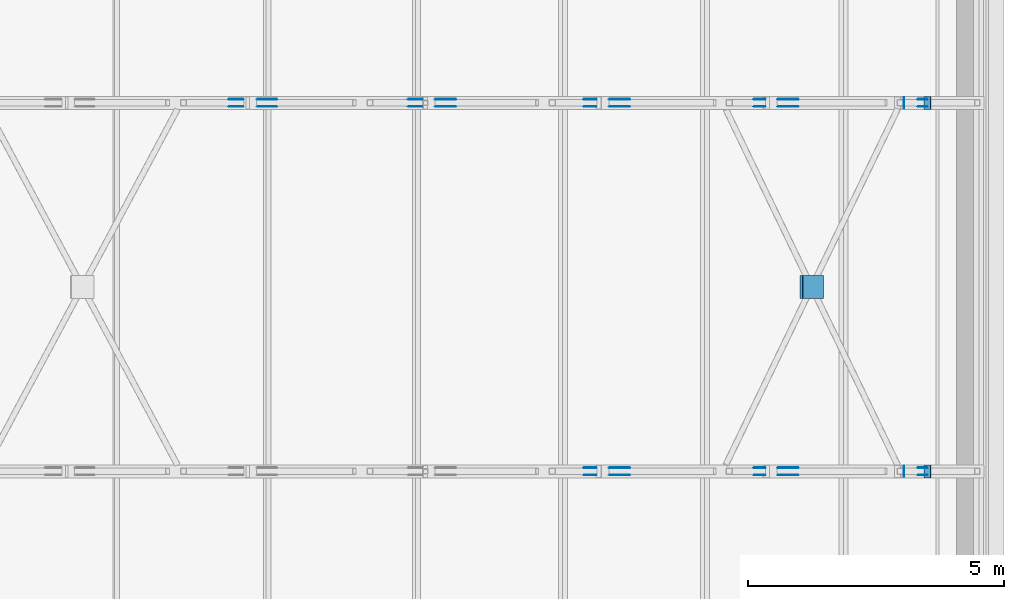
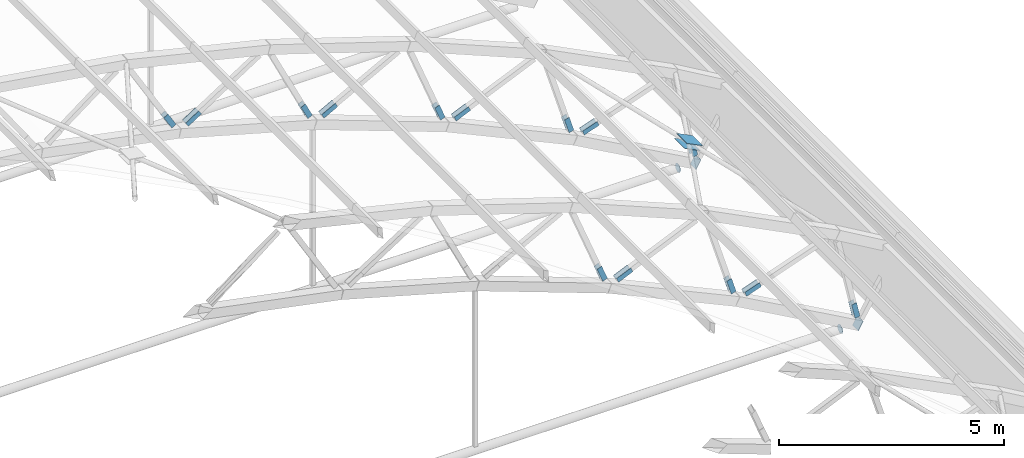
# One storey, part 114 of 127: 34 discrete accessories.
"""IFC4 building model written with IfcOpenShell, lengths in metres."""

import ifcopenshell
import ifcopenshell.guid

model = None  # the IFC model being written
_history = None  # IfcOwnerHistory: only IFC2X3 demands one
_inside = {}  # id of a spatial element -> (the spatial element, [elements in it])
_under = {}  # id of a project, library or spatial element -> (it, [spatial elements below it])
_declared = {}  # id of a project -> (the project, [libraries it declares])
_typed = {}  # id of a type object -> (the type object, [elements of that type])
_made_of = {}  # id of a material, layer set ... -> (it, [elements and type objects made of it])


def new_model(schema):
    """Start an empty IFC model of exactly this schema.

    Asked for "IFC4X3", IfcOpenShell would pick the latest addendum, in which some entities
    have other attributes; the version numbers below select the first issue.
    IFC2X3 requires an IfcOwnerHistory on every rooted entity: one is made here for all.
    """
    global model, _history
    if schema == "IFC4X3":
        model = ifcopenshell.file(schema_version=(4, 3, 0, 0))
    else:
        model = ifcopenshell.file(schema=schema)
    _inside.clear()
    _under.clear()
    _declared.clear()
    _typed.clear()
    _made_of.clear()
    _history = None
    if model.schema == "IFC2X3":
        org = make("IfcOrganization", Name="unknown")
        user = make(
            "IfcPersonAndOrganization",
            ThePerson=make("IfcPerson", FamilyName="unknown"),
            TheOrganization=org,
        )
        app = make(
            "IfcApplication",
            ApplicationDeveloper=org,
            Version="unknown",
            ApplicationFullName="unknown",
            ApplicationIdentifier="unknown",
        )
        _history = make(
            "IfcOwnerHistory",
            OwningUser=user,
            OwningApplication=app,
            ChangeAction="ADDED",
            CreationDate=0,
        )
    return model


def make(cls, **values):
    """One entity of the class cls with the attributes given. An attribute that is None is left unset."""
    return model.create_entity(
        cls, **{name: value for name, value in values.items() if value is not None}
    )


def rooted(cls, **values):
    """An entity with a GlobalId (a new one), such as an element, a storey or a relation."""
    return make(cls, GlobalId=ifcopenshell.guid.new(), OwnerHistory=_history, **values)


def si_unit(unit_type, name, prefix=None):
    """IfcSIUnit, for example si_unit("LENGTHUNIT", "METRE", prefix="MILLI")."""
    return make("IfcSIUnit", UnitType=unit_type, Prefix=prefix, Name=name)


def assignment(units):
    """IfcUnitAssignment: the units of a project."""
    return None if units is None else make("IfcUnitAssignment", Units=units)


def point(xyz):
    """IfcCartesianPoint."""
    return None if xyz is None else make("IfcCartesianPoint", Coordinates=xyz)


def direction(xyz):
    """IfcDirection."""
    return None if xyz is None else make("IfcDirection", DirectionRatios=xyz)


def frame(location, z_axis=None, x_axis=None):
    """IfcAxis2Placement3D, a coordinate frame: its origin and axes. An axis left out is left unset."""
    return make(
        "IfcAxis2Placement3D",
        Location=point(location),
        Axis=direction(z_axis),
        RefDirection=direction(x_axis),
    )


def frame_2d(location, x_axis=None):
    """IfcAxis2Placement2D, a coordinate frame in the plane: its origin and x axis."""
    return make(
        "IfcAxis2Placement2D", Location=point(location), RefDirection=direction(x_axis)
    )


def origin():
    """The frame at (0, 0, 0) with its axes left unset."""
    return frame((0.0, 0.0, 0.0))


def origin_2d():
    """The frame at (0, 0) in the plane with its x axis left unset."""
    return frame_2d((0.0, 0.0))


def place(relative_to, where):
    """IfcLocalPlacement: puts the frame where relative to a parent placement (None: the world)."""
    return make(
        "IfcLocalPlacement", PlacementRelTo=relative_to, RelativePlacement=where
    )


def context(
    kind, dimensions, precision=None, world=None, true_north=None, identifier=None
):
    """IfcGeometricRepresentationContext, for example the 3D "Model" context."""
    return make(
        "IfcGeometricRepresentationContext",
        ContextIdentifier=identifier,
        ContextType=kind,
        CoordinateSpaceDimension=dimensions,
        Precision=precision,
        WorldCoordinateSystem=world,
        TrueNorth=true_north,
    )


def subcontext(parent, identifier, kind, view, scale=None):
    """IfcGeometricRepresentationSubContext, for example "Body" below "Model"."""
    return make(
        "IfcGeometricRepresentationSubContext",
        ContextIdentifier=identifier,
        ContextType=kind,
        ParentContext=parent,
        TargetScale=scale,
        TargetView=view,
    )


def project(units=None, contexts=None):
    """IfcProject with its units and contexts."""
    return rooted(
        "IfcProject",
        Name="project",
        RepresentationContexts=contexts,
        UnitsInContext=assignment(units),
    )


def spatial(cls, under=None, at=None, **own):
    """A site, building, storey or space (cls), placed at a placement, below another one or the project."""
    s = rooted(cls, ObjectPlacement=at, **own)
    if under is not None:
        _under.setdefault(under.id(), (under, []))[1].append(s)
    return s


def profile(cls, at=None, kind="AREA", **sizes):
    """A parametric profile (cls). Its sizes go by their IFC names, for example OverallWidth=200.0."""
    return make(cls, ProfileType=kind, Position=at, **sizes)


def rectangle(**sizes):
    """IfcRectangleProfileDef."""
    return profile("IfcRectangleProfileDef", **sizes)


def circle(**sizes):
    """IfcCircleProfileDef."""
    return profile("IfcCircleProfileDef", **sizes)


def extrude(swept, where, along, depth):
    """IfcExtrudedAreaSolid: the profile swept, set in the frame where, extruded along a direction by depth."""
    return make(
        "IfcExtrudedAreaSolid",
        SweptArea=swept,
        Position=where,
        ExtrudedDirection=direction(along),
        Depth=depth,
    )


def shape(context_of_items, identifier, shape_type, items):
    """IfcShapeRepresentation: the items that make up one representation, for example the "Body"."""
    return make(
        "IfcShapeRepresentation",
        ContextOfItems=context_of_items,
        RepresentationIdentifier=identifier,
        RepresentationType=shape_type,
        Items=items,
    )


def material(Name=None, Category=None):
    """IfcMaterial."""
    return make("IfcMaterial", Name=Name, Category=Category)


def material_profile(
    of_material, cross_section, Name=None, Category=None, Priority=None
):
    """IfcMaterialProfile: a cross section and its material."""
    return make(
        "IfcMaterialProfile",
        Name=Name,
        Material=of_material,
        Profile=cross_section,
        Priority=Priority,
        Category=Category,
    )


def profile_set(profiles, Name=None, composite=None):
    """IfcMaterialProfileSet."""
    return make(
        "IfcMaterialProfileSet",
        Name=Name,
        MaterialProfiles=profiles,
        CompositeProfile=composite,
    )


def made_of(thing, what):
    """Note that an element or type object is made of a material, layer set ...; save() writes the relation."""
    if what is not None:
        _made_of.setdefault(what.id(), (what, []))[1].append(thing)
    return thing


def type_object(cls, material=None, **own):
    """A type object (cls), such as IfcWallType, which elements share."""
    return made_of(rooted(cls, **own), material)


def element(
    cls,
    number,
    at=None,
    inside=None,
    cuts=None,
    type_object=None,
    material=None,
    context=None,
    identifier="Body",
    shape_type=None,
    held_by="IfcProductDefinitionShape",
    body=None,
    shapes=None,
    **own,
):
    """One element of the class cls, such as IfcWall. Its Tag is "e" and its number.

    at: its placement. inside: the storey or other place that contains it. cuts: it is an
    opening in that element (IfcRelVoidsElement). A single representation is given by context,
    identifier, shape_type and body (its items); several are given by shapes. held_by: the class
    of the entity that holds the representations. save() writes the other relations.
    """
    e = rooted(cls, Tag="e%d" % number, ObjectPlacement=at, **own)
    if body is not None:
        shapes = [shape(context, identifier, shape_type, body)]
    if shapes is not None:
        e.Representation = make(held_by, Representations=shapes)
    if inside is not None:
        _inside.setdefault(inside.id(), (inside, []))[1].append(e)
    if cuts is not None:
        rooted(
            "IfcRelVoidsElement", RelatingBuildingElement=cuts, RelatedOpeningElement=e
        )
    if type_object is not None:
        _typed.setdefault(type_object.id(), (type_object, []))[1].append(e)
    return made_of(e, material)


def aggregate(whole, parts):
    """IfcRelAggregates: a whole, such as a stair, and the parts it consists of."""
    return rooted("IfcRelAggregates", RelatingObject=whole, RelatedObjects=parts)


def save(model, path):
    """Write the relations noted so far, then the file.

    IfcRelAggregates (storeys below a building ...), IfcRelContainedInSpatialStructure (elements
    in a storey), IfcRelDefinesByType, IfcRelAssociatesMaterial and IfcRelDeclares: one each for
    every whole, place, type object, material and project.
    """
    for whole, parts in _under.values():
        aggregate(whole, parts)
    for where, things in _inside.values():
        rooted(
            "IfcRelContainedInSpatialStructure",
            RelatedElements=things,
            RelatingStructure=where,
        )
    for kind, things in _typed.values():
        rooted("IfcRelDefinesByType", RelatedObjects=things, RelatingType=kind)
    for what, things in _made_of.values():
        rooted("IfcRelAssociatesMaterial", RelatedObjects=things, RelatingMaterial=what)
    for by, libraries in _declared.values():
        rooted("IfcRelDeclares", RelatingContext=by, RelatedDefinitions=libraries)
    model.write(path)


model = new_model("IFC4")

# Units and contexts
model_context = context("Model", 3, precision=1e-05, world=origin(), true_north=direction((0.0, 1.0)))
body_context = subcontext(model_context, "Body", "Model", "MODEL_VIEW")
ifc_project = project(units=[si_unit("LENGTHUNIT", "METRE"), si_unit("AREAUNIT", "SQUARE_METRE"), si_unit("VOLUMEUNIT", "CUBIC_METRE"), si_unit("PLANEANGLEUNIT", "RADIAN"), si_unit("MASSUNIT", "GRAM", prefix="KILO")], contexts=[model_context])

# Site, building, storey
site_placement = place(None, origin())
site = spatial("IfcSite", under=ifc_project, at=site_placement, CompositionType="ELEMENT")
building_placement = place(site_placement, origin())
building = spatial("IfcBuilding", under=site, at=building_placement, Name="Verrick Yard Athletic Hall", CompositionType="ELEMENT")
storey_placement = place(building_placement, frame((0.0, 0.0, 14.0)))
storey = spatial("IfcBuildingStorey", under=building, at=storey_placement, Name="L03", CompositionType="ELEMENT", Elevation=14.0)

# Discrete accessories
ifc_material = material(Name="Structural steel 350W (CSA G40.21)", Category="steel")
ifc_material_profile_1 = material_profile(ifc_material, rectangle(XDim=0.39990234375, YDim=0.126953125, at=origin_2d()), Name="Brace end cheek plate")
ifc_profile_set_1 = profile_set([ifc_material_profile_1], Name="Structural steel 350W (CSA G40.21)")
discrete_accessory_type_1 = type_object("IfcDiscreteAccessoryType", Name="Brace end cheek plate 400x127x12", PredefinedType="BRACKET", material=ifc_profile_set_1)
discrete_accessory_1_placement = place(storey_placement, frame((163.01318359375, 86.33642578125, 3.684814453125), z_axis=(0.0, -1.0, 0.0), x_axis=(-0.363562561074, 0.0, 0.931569784925)))
element("IfcDiscreteAccessory", 1, at=discrete_accessory_1_placement, inside=storey, type_object=discrete_accessory_type_1, Name="Truss web end plate TA3-24 1", PredefinedType="BRACKET", context=body_context, shape_type="SweptSolid", body=[
    extrude(rectangle(XDim=0.39990234375, YDim=0.126953125, at=origin_2d()), origin(), (0.0, 0.0, 1.0), 0.011962890625),
])
for number, where, z_axis, x_axis, name in (
    (2, (163.01318359375, 86.46337890625, 3.684814453125), (0.0, 1.0, 0.0), (-0.363562561074, 0.0, 0.931569784925), "Truss web end plate TA3-24 2"),
    (3, (163.587158203125, 86.46337890625, 3.447509765625), (0.0, 1.0, 0.0), (0.915285173692, 0.0, 0.402806468194), "Truss web end plate TA3-25 1"),
):
    element("IfcDiscreteAccessory", number, at=place(storey_placement, frame(where, z_axis=z_axis, x_axis=x_axis)), inside=storey, type_object=discrete_accessory_type_1, Name=name, PredefinedType="BRACKET", context=body_context, shape_type="SweptSolid", body=[
        extrude(rectangle(XDim=0.39990234375, YDim=0.126953125, at=origin_2d()), origin(), (0.0, 0.0, 1.0), 0.01220703125),
    ])
for number, where, z_axis, x_axis, name in (
    (4, (163.587158203125, 86.33642578125, 3.447509765625), (0.0, -1.0, 0.0), (0.915285173692, 0.0, 0.402806468194), "Truss web end plate TA3-25 2"),
    (5, (166.322265625, 86.33642578125, 2.18896484375), (0.0, -1.0, 0.0), (-0.289473335175, 0.0, 0.95718607816), "Truss web end plate TA3-26 1"),
):
    element("IfcDiscreteAccessory", number, at=place(storey_placement, frame(where, z_axis=z_axis, x_axis=x_axis)), inside=storey, type_object=discrete_accessory_type_1, Name=name, PredefinedType="BRACKET", context=body_context, shape_type="SweptSolid", body=[
        extrude(rectangle(XDim=0.39990234375, YDim=0.126953125, at=origin_2d()), origin(), (0.0, 0.0, 1.0), 0.011962890625),
    ])
for number, where, z_axis, x_axis, name in (
    (6, (166.322265625, 86.46337890625, 2.18896484375), (0.0, 1.0, 0.0), (-0.289473335175, 0.0, 0.95718607816), "Truss web end plate TA3-26 2"),
    (7, (166.8759765625, 86.46337890625, 1.907470703125), (0.0, 1.0, 0.0), (0.944025603302, 0.0, 0.32987218784), "Truss web end plate TA3-27 1"),
):
    element("IfcDiscreteAccessory", number, at=place(storey_placement, frame(where, z_axis=z_axis, x_axis=x_axis)), inside=storey, type_object=discrete_accessory_type_1, Name=name, PredefinedType="BRACKET", context=body_context, shape_type="SweptSolid", body=[
        extrude(rectangle(XDim=0.39990234375, YDim=0.126953125, at=origin_2d()), origin(), (0.0, 0.0, 1.0), 0.01220703125),
    ])
for number, where, z_axis, x_axis, name in (
    (8, (166.8759765625, 86.33642578125, 1.907470703125), (0.0, -1.0, 0.0), (0.944025603302, 0.0, 0.32987218784), "Truss web end plate TA3-27 2"),
    (9, (169.509033203125, 86.33642578125, 0.416015625), (0.0, -1.0, 0.0), (-0.213605450371, 0.0, 0.976920012883), "Truss web end plate TA3-28 1"),
):
    element("IfcDiscreteAccessory", number, at=place(storey_placement, frame(where, z_axis=z_axis, x_axis=x_axis)), inside=storey, type_object=discrete_accessory_type_1, Name=name, PredefinedType="BRACKET", context=body_context, shape_type="SweptSolid", body=[
        extrude(rectangle(XDim=0.39990234375, YDim=0.126953125, at=origin_2d()), origin(), (0.0, 0.0, 1.0), 0.011962890625),
    ])
for number, where, z_axis, x_axis, name in (
    (10, (169.509033203125, 86.46337890625, 0.416015625), (0.0, 1.0, 0.0), (-0.213605450371, 0.0, 0.976920012883), "Truss web end plate TA3-28 2"),
    (11, (156.094970703125, 93.53662109375, 5.877685546875), (0.0, -1.0, 0.0), (-0.504596608522, 0.0, 0.863355235502), "Truss web end plate TA4-20 1"),
):
    element("IfcDiscreteAccessory", number, at=place(storey_placement, frame(where, z_axis=z_axis, x_axis=x_axis)), inside=storey, type_object=discrete_accessory_type_1, Name=name, PredefinedType="BRACKET", context=body_context, shape_type="SweptSolid", body=[
        extrude(rectangle(XDim=0.39990234375, YDim=0.126953125, at=origin_2d()), origin(), (0.0, 0.0, 1.0), 0.01220703125),
    ])
for number, where, z_axis, x_axis, name in (
    (12, (156.094970703125, 93.66357421875, 5.877685546875), (0.0, 1.0, 0.0), (-0.504596608522, 0.0, 0.863355235502), "Truss web end plate TA4-20 2"),
    (13, (156.698974609375, 93.66357421875, 5.73291015625), (0.0, 1.0, 0.0), (0.841141186405, 0.0, 0.540815591984), "Truss web end plate TA4-21 1"),
):
    element("IfcDiscreteAccessory", number, at=place(storey_placement, frame(where, z_axis=z_axis, x_axis=x_axis)), inside=storey, type_object=discrete_accessory_type_1, Name=name, PredefinedType="BRACKET", context=body_context, shape_type="SweptSolid", body=[
        extrude(rectangle(XDim=0.39990234375, YDim=0.126953125, at=origin_2d()), origin(), (0.0, 0.0, 1.0), 0.011962890625),
    ])
for number, where, z_axis, x_axis, name in (
    (14, (156.698974609375, 93.53662109375, 5.73291015625), (0.0, -1.0, 0.0), (0.841141186405, 0.0, 0.540815591984), "Truss web end plate TA4-21 2"),
    (15, (159.59716796875, 93.53662109375, 4.9169921875), (0.0, -1.0, 0.0), (-0.435417263932, 0.0, 0.90022875219), "Truss web end plate TA4-22 1"),
):
    element("IfcDiscreteAccessory", number, at=place(storey_placement, frame(where, z_axis=z_axis, x_axis=x_axis)), inside=storey, type_object=discrete_accessory_type_1, Name=name, PredefinedType="BRACKET", context=body_context, shape_type="SweptSolid", body=[
        extrude(rectangle(XDim=0.39990234375, YDim=0.126953125, at=origin_2d()), origin(), (0.0, 0.0, 1.0), 0.01220703125),
    ])
for number, where, z_axis, x_axis, name in (
    (16, (159.59716796875, 93.66357421875, 4.9169921875), (0.0, 1.0, 0.0), (-0.435417263932, 0.0, 0.90022875219), "Truss web end plate TA4-22 2"),
    (17, (160.187744140625, 93.66357421875, 4.725341796875), (0.0, 1.0, 0.0), (0.880919955637, 0.0, 0.473265286876), "Truss web end plate TA4-23 1"),
):
    element("IfcDiscreteAccessory", number, at=place(storey_placement, frame(where, z_axis=z_axis, x_axis=x_axis)), inside=storey, type_object=discrete_accessory_type_1, Name=name, PredefinedType="BRACKET", context=body_context, shape_type="SweptSolid", body=[
        extrude(rectangle(XDim=0.39990234375, YDim=0.126953125, at=origin_2d()), origin(), (0.0, 0.0, 1.0), 0.011962890625),
    ])
for number, where, z_axis, x_axis, name in (
    (18, (160.187744140625, 93.53662109375, 4.725341796875), (0.0, -1.0, 0.0), (0.880919955637, 0.0, 0.473265286876), "Truss web end plate TA4-23 2"),
    (19, (163.01318359375, 93.53662109375, 3.684814453125), (0.0, -1.0, 0.0), (-0.363562561074, 0.0, 0.931569784925), "Truss web end plate TA4-24 1"),
):
    element("IfcDiscreteAccessory", number, at=place(storey_placement, frame(where, z_axis=z_axis, x_axis=x_axis)), inside=storey, type_object=discrete_accessory_type_1, Name=name, PredefinedType="BRACKET", context=body_context, shape_type="SweptSolid", body=[
        extrude(rectangle(XDim=0.39990234375, YDim=0.126953125, at=origin_2d()), origin(), (0.0, 0.0, 1.0), 0.01220703125),
    ])
for number, where, z_axis, x_axis, name in (
    (20, (163.01318359375, 93.66357421875, 3.684814453125), (0.0, 1.0, 0.0), (-0.363562561074, 0.0, 0.931569784925), "Truss web end plate TA4-24 2"),
    (21, (163.587158203125, 93.66357421875, 3.447509765625), (0.0, 1.0, 0.0), (0.915285173692, 0.0, 0.402806468194), "Truss web end plate TA4-25 1"),
):
    element("IfcDiscreteAccessory", number, at=place(storey_placement, frame(where, z_axis=z_axis, x_axis=x_axis)), inside=storey, type_object=discrete_accessory_type_1, Name=name, PredefinedType="BRACKET", context=body_context, shape_type="SweptSolid", body=[
        extrude(rectangle(XDim=0.39990234375, YDim=0.126953125, at=origin_2d()), origin(), (0.0, 0.0, 1.0), 0.011962890625),
    ])
for number, where, z_axis, x_axis, name in (
    (22, (163.587158203125, 93.53662109375, 3.447509765625), (0.0, -1.0, 0.0), (0.915285173692, 0.0, 0.402806468194), "Truss web end plate TA4-25 2"),
    (23, (166.322265625, 93.53662109375, 2.18896484375), (0.0, -1.0, 0.0), (-0.289473335175, 0.0, 0.95718607816), "Truss web end plate TA4-26 1"),
):
    element("IfcDiscreteAccessory", number, at=place(storey_placement, frame(where, z_axis=z_axis, x_axis=x_axis)), inside=storey, type_object=discrete_accessory_type_1, Name=name, PredefinedType="BRACKET", context=body_context, shape_type="SweptSolid", body=[
        extrude(rectangle(XDim=0.39990234375, YDim=0.126953125, at=origin_2d()), origin(), (0.0, 0.0, 1.0), 0.01220703125),
    ])
for number, where, z_axis, x_axis, name in (
    (24, (166.322265625, 93.66357421875, 2.18896484375), (0.0, 1.0, 0.0), (-0.289473335175, 0.0, 0.95718607816), "Truss web end plate TA4-26 2"),
    (25, (166.8759765625, 93.66357421875, 1.907470703125), (0.0, 1.0, 0.0), (0.944025603302, 0.0, 0.32987218784), "Truss web end plate TA4-27 1"),
):
    element("IfcDiscreteAccessory", number, at=place(storey_placement, frame(where, z_axis=z_axis, x_axis=x_axis)), inside=storey, type_object=discrete_accessory_type_1, Name=name, PredefinedType="BRACKET", context=body_context, shape_type="SweptSolid", body=[
        extrude(rectangle(XDim=0.39990234375, YDim=0.126953125, at=origin_2d()), origin(), (0.0, 0.0, 1.0), 0.011962890625),
    ])
for number, where, z_axis, x_axis, name in (
    (26, (166.8759765625, 93.53662109375, 1.907470703125), (0.0, -1.0, 0.0), (0.944025603302, 0.0, 0.32987218784), "Truss web end plate TA4-27 2"),
    (27, (169.509033203125, 93.53662109375, 0.416015625), (0.0, -1.0, 0.0), (-0.213605450371, 0.0, 0.976920012883), "Truss web end plate TA4-28 1"),
):
    element("IfcDiscreteAccessory", number, at=place(storey_placement, frame(where, z_axis=z_axis, x_axis=x_axis)), inside=storey, type_object=discrete_accessory_type_1, Name=name, PredefinedType="BRACKET", context=body_context, shape_type="SweptSolid", body=[
        extrude(rectangle(XDim=0.39990234375, YDim=0.126953125, at=origin_2d()), origin(), (0.0, 0.0, 1.0), 0.01220703125),
    ])
discrete_accessory_2_placement = place(storey_placement, frame((169.509033203125, 93.66357421875, 0.416015625), z_axis=(0.0, 1.0, 0.0), x_axis=(-0.213605450371, 0.0, 0.976920012883)))
element("IfcDiscreteAccessory", 28, at=discrete_accessory_2_placement, inside=storey, type_object=discrete_accessory_type_1, Name="Truss web end plate TA4-28 2", PredefinedType="BRACKET", context=body_context, shape_type="SweptSolid", body=[
    extrude(rectangle(XDim=0.39990234375, YDim=0.126953125, at=origin_2d()), origin(), (0.0, 0.0, 1.0), 0.011962890625),
])
ifc_material_profile_2 = material_profile(ifc_material, rectangle(XDim=0.449951171875, YDim=0.449951171875, at=origin_2d()), Name="Brace node plate")
ifc_profile_set_2 = profile_set([ifc_material_profile_2], Name="Structural steel 350W (CSA G40.21)")
discrete_accessory_type_2 = type_object("IfcDiscreteAccessoryType", Name="Brace node plate 450x450x12", PredefinedType="BRACKET", material=ifc_profile_set_2)
for number, where, z_axis, x_axis, name in (
    (29, (167.316162109375, 90.0, 3.458251953125), (-0.4472135955, 0.0, -0.894427191), (0.0, -1.0, 0.0), "Brace node plate A3-12 1"),
    (30, (167.3681640625, 90.0, 3.56005859375), (0.4472135955, 0.0, 0.894427191), (0.0, 1.0, 0.0), "Brace node plate A3-12 2"),
):
    element("IfcDiscreteAccessory", number, at=place(storey_placement, frame(where, z_axis=z_axis, x_axis=x_axis)), inside=storey, type_object=discrete_accessory_type_2, Name=name, PredefinedType="BRACKET", context=body_context, shape_type="SweptSolid", body=[
        extrude(rectangle(XDim=0.449951171875, YDim=0.449951171875, at=origin_2d()), origin(), (0.0, 0.0, 1.0), 0.011962890625),
    ])
ifc_material_profile_3 = material_profile(ifc_material, rectangle(XDim=0.25390625, YDim=0.25390625, at=origin_2d()), Name="STR End cap plate 254x254x9.5")
ifc_profile_set_3 = profile_set([ifc_material_profile_3], Name="Structural steel 350W (CSA G40.21)")
discrete_accessory_type_3 = type_object("IfcDiscreteAccessoryType", Name="STR End cap plate 254x254x9.5", PredefinedType="BRACKET", material=ifc_profile_set_3)
for number, where, z_axis, x_axis, name in (
    (31, (169.60009765625, 86.39990234375, 0.0), (0.868243142124, 0.0, -0.496138938357), (0.0, 1.0, 0.0), "End cap Truss TA3 bottom chord 14 B"),
    (32, (169.60009765625, 93.60009765625, 0.0), (0.868243142124, 0.0, -0.496138938357), (0.0, 1.0, 0.0), "End cap Truss TA4 bottom chord 14 B"),
):
    element("IfcDiscreteAccessory", number, at=place(storey_placement, frame(where, z_axis=z_axis, x_axis=x_axis)), inside=storey, type_object=discrete_accessory_type_3, Name=name, PredefinedType="BRACKET", context=body_context, shape_type="SweptSolid", body=[
        extrude(rectangle(XDim=0.25390625, YDim=0.25390625, at=origin_2d()), origin(), (0.0, 0.0, 1.0), 0.009765625),
    ])
ifc_material_profile_4 = material_profile(ifc_material, circle(Radius=0.109619140625, at=origin_2d()), Name="STR End cap plate 219x13")
ifc_profile_set_4 = profile_set([ifc_material_profile_4], Name="Structural steel 350W (CSA G40.21)")
discrete_accessory_type_4 = type_object("IfcDiscreteAccessoryType", Name="STR End cap plate 219x13", PredefinedType="BRACKET", material=ifc_profile_set_4)
for number, where, z_axis, x_axis, name in (
    (33, (169.143798828125, 86.39990234375, 0.0), (1.0, 0.0, 0.0), (0.0, 1.0, 0.0), "End cap Truss TA3 tie 1 B"),
    (34, (169.143798828125, 93.60009765625, 0.0), (1.0, 0.0, 0.0), (0.0, 1.0, 0.0), "End cap Truss TA4 tie 1 B"),
):
    element("IfcDiscreteAccessory", number, at=place(storey_placement, frame(where, z_axis=z_axis, x_axis=x_axis)), inside=storey, type_object=discrete_accessory_type_4, Name=name, PredefinedType="BRACKET", context=body_context, shape_type="SweptSolid", body=[
        extrude(circle(Radius=0.109619140625, at=origin_2d()), origin(), (0.0, 0.0, 1.0), 0.010009765625),
    ])

save(model, "model.ifc")
